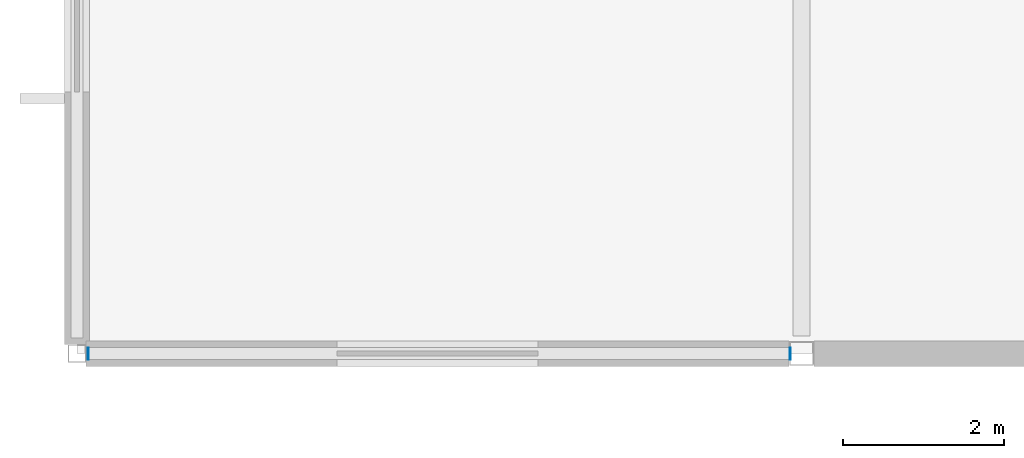
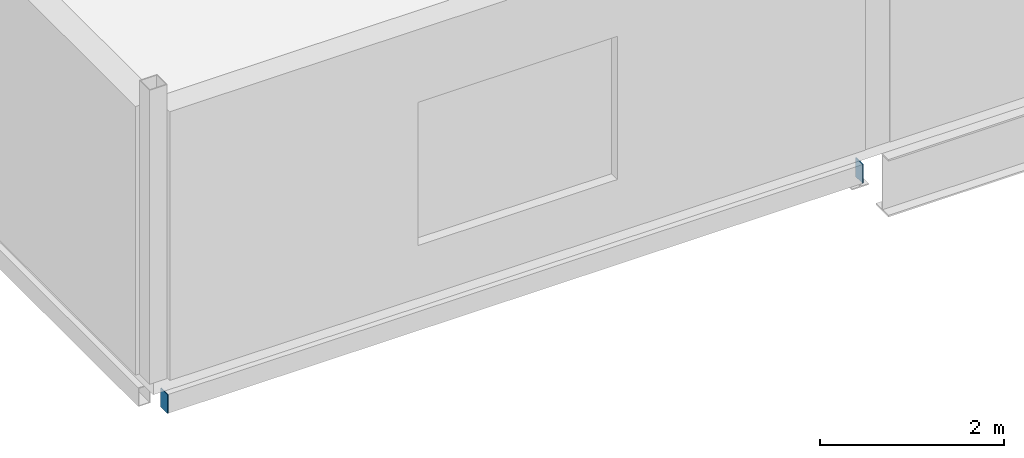
# One storey, part 35 of 55: 2 discrete accessories.
"""IFC4 building model written with IfcOpenShell, lengths in metres."""

from ifc_helpers import new_model, si_unit, direction, frame, origin, place, context, subcontext, project, spatial, polyline, outline, extrude, material, layer, layer_set, type_object, element, save


model = new_model("IFC4")

# Units and contexts
model_context = context("Model", 3, precision=1e-05, world=origin(), true_north=direction((0.0, 1.0)))
body_context = subcontext(model_context, "Body", "Model", "MODEL_VIEW")
ifc_project = project(units=[si_unit("LENGTHUNIT", "METRE"), si_unit("AREAUNIT", "SQUARE_METRE"), si_unit("VOLUMEUNIT", "CUBIC_METRE"), si_unit("PLANEANGLEUNIT", "RADIAN"), si_unit("MASSUNIT", "GRAM", prefix="KILO")], contexts=[model_context])

# Site, building, storey
site_placement = place(None, origin())
site = spatial("IfcSite", under=ifc_project, at=site_placement, CompositionType="ELEMENT")
building_placement = place(site_placement, origin())
building = spatial("IfcBuilding", under=site, at=building_placement, Name="Kisiwana Market Hall", CompositionType="ELEMENT")
storey_placement = place(building_placement, frame((0.0, 0.0, 37.800048828125)))
storey = spatial("IfcBuildingStorey", under=building, at=storey_placement, Name="L08", CompositionType="ELEMENT", Elevation=37.800048828125)

# Discrete accessories
ifc_material = material(Name="Steel S355", Category="steel")
ifc_layer = layer(ifc_material, 0.011962890625)
ifc_layer_set = layer_set([ifc_layer], Name="ACC-ENDCAP-STL")
discrete_accessory_type = type_object("IfcDiscreteAccessoryType", Name="ACC-ENDCAP-STL", PredefinedType="USERDEFINED", material=ifc_layer_set)
discrete_accessory_1_placement = place(storey_placement, frame((0.0, 0.0, -0.4951171875)))
element("IfcDiscreteAccessory", 1, at=discrete_accessory_1_placement, inside=storey, type_object=discrete_accessory_type, Name="End cap plate EC-0101", ObjectType="End cap plate", PredefinedType="USERDEFINED", context=body_context, shape_type="SweptSolid", body=[
    extrude(outline(polyline([(8.85400390625, 8.925048828125), (8.865966796875, 8.925048828125), (8.865966796875, 9.074951171875), (8.85400390625, 9.074951171875), (8.85400390625, 8.925048828125)])), origin(), (0.0, 0.0, 1.0), 0.25),
])
discrete_accessory_2_placement = place(storey_placement, frame((0.0, 0.0, -0.4951171875)))
element("IfcDiscreteAccessory", 2, at=discrete_accessory_2_placement, inside=storey, type_object=discrete_accessory_type, Name="End cap plate EC-0102", ObjectType="End cap plate", PredefinedType="USERDEFINED", context=body_context, shape_type="SweptSolid", body=[
    extrude(outline(polyline([(0.14599609375, 8.925048828125), (0.14599609375, 9.074951171875), (0.134033203125, 9.074951171875), (0.134033203125, 8.925048828125), (0.14599609375, 8.925048828125)])), origin(), (0.0, 0.0, 1.0), 0.25),
])

save(model, "model.ifc")
